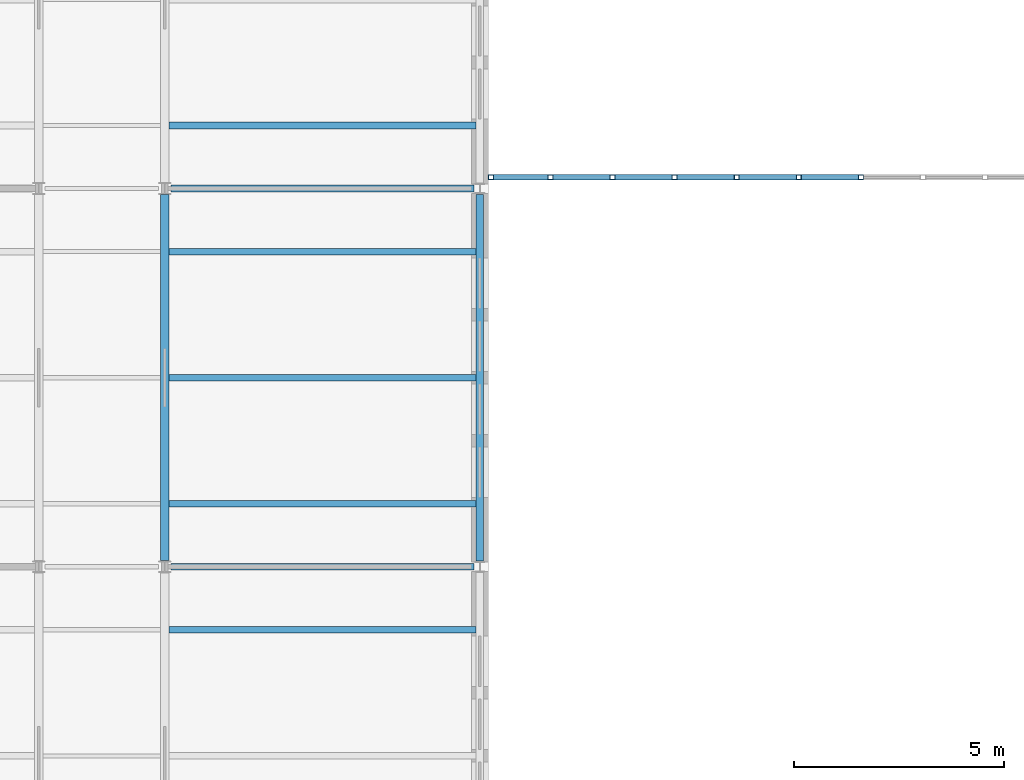
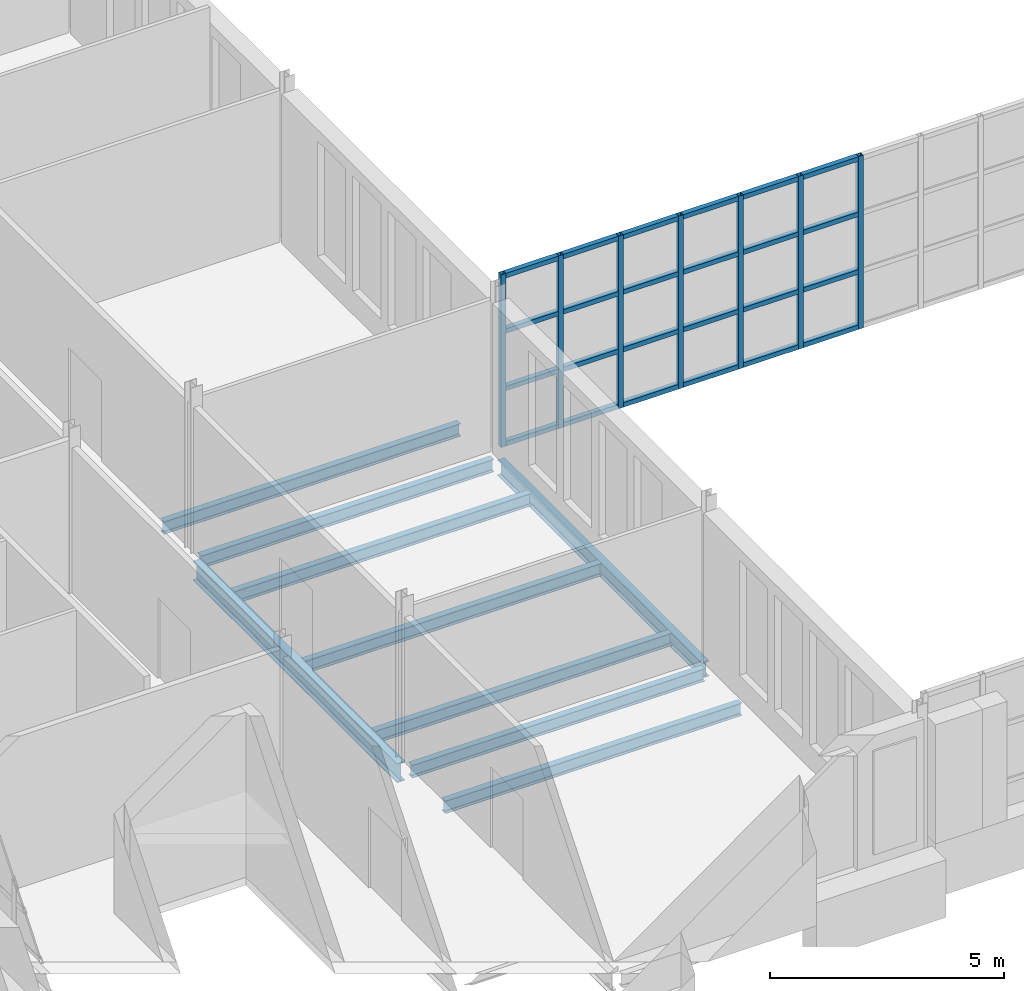
# One storey, part 30 of 131: 31 members, 9 beams, 1 element without a shape of its own.
"""IFC4 building model written with IfcOpenShell, lengths in metres."""

from ifc_helpers import new_model, si_unit, direction, frame, origin, origin_2d, place, context, subcontext, project, spatial, hollow_rectangle, i_section, extrude, material, material_profile, profile_set, type_object, element, aggregate, save


model = new_model("IFC4")

# Units and contexts
model_context = context("Model", 3, precision=1e-05, world=origin(), true_north=direction((0.0, 1.0)))
body_context = subcontext(model_context, "Body", "Model", "MODEL_VIEW")
ifc_project = project(units=[si_unit("LENGTHUNIT", "METRE"), si_unit("AREAUNIT", "SQUARE_METRE"), si_unit("VOLUMEUNIT", "CUBIC_METRE"), si_unit("PLANEANGLEUNIT", "RADIAN"), si_unit("MASSUNIT", "GRAM", prefix="KILO")], contexts=[model_context])

# Site, building, storey
site_placement = place(None, origin())
site = spatial("IfcSite", under=ifc_project, at=site_placement, CompositionType="ELEMENT")
building_placement = place(site_placement, origin())
building = spatial("IfcBuilding", under=site, at=building_placement, Name="Golden Quay Civic Hall", CompositionType="ELEMENT")
storey_placement = place(building_placement, frame((0.0, 0.0, 9.89990234375)))
storey = spatial("IfcBuildingStorey", under=building, at=storey_placement, Name="L02", CompositionType="ELEMENT", Elevation=9.89990234375)

# Curtain wall, members
ifc_material_1 = material(Name="Fire-resisting glass and steel", Category="steel")
curtain_wall_type = type_object("IfcCurtainWallType", Name="Fire-resisting glazed curtain wall EI 120", PredefinedType="NOTDEFINED", material=ifc_material_1)
curtain_wall_placement = place(storey_placement, origin())
curtain_wall = element("IfcCurtainWall", 1, at=curtain_wall_placement, inside=storey, type_object=curtain_wall_type, Name="CW3 curtain wall", PredefinedType="NOTDEFINED")
ifc_material_2 = material(Name="Steel S355", Category="steel")
ifc_material_profile_1 = material_profile(ifc_material_2, hollow_rectangle(XDim=0.1201171875, YDim=0.1201171875, WallThickness=0.008056640625, at=origin_2d()), Name="SHS 120x120x8")
ifc_profile_set_1 = profile_set([ifc_material_profile_1], Name="Steel S355")
member_type_1 = type_object("IfcMemberType", Name="Fire-resisting steel mullion SHS 120x120x8", PredefinedType="MULLION", material=ifc_profile_set_1)
member_1_placement = place(storey_placement, frame((72.260009765625, 18.27001953125, -0.199951171875), z_axis=(0.0, 0.0, 1.0), x_axis=(0.0, 1.0, 0.0)))
member_1 = element("IfcMember", 2, at=member_1_placement, type_object=member_type_1, Name="CW3 mullion 1", PredefinedType="MULLION", context=body_context, shape_type="SweptSolid", body=[
    extrude(hollow_rectangle(XDim=0.1201171875, YDim=0.1201171875, WallThickness=0.008056640625, at=origin_2d()), origin(), (0.0, 0.0, 1.0), 4.5),
])
member_2_placement = place(storey_placement, frame((73.677734375, 18.27001953125, -0.199951171875), z_axis=(0.0, 0.0, 1.0), x_axis=(0.0, 1.0, 0.0)))
member_2 = element("IfcMember", 3, at=member_2_placement, type_object=member_type_1, Name="CW3 mullion 2", PredefinedType="MULLION", context=body_context, shape_type="SweptSolid", body=[
    extrude(hollow_rectangle(XDim=0.1201171875, YDim=0.1201171875, WallThickness=0.008056640625, at=origin_2d()), origin(), (0.0, 0.0, 1.0), 4.5),
])
member_3_placement = place(storey_placement, frame((75.155517578125, 18.27001953125, -0.199951171875), z_axis=(0.0, 0.0, 1.0), x_axis=(0.0, 1.0, 0.0)))
member_3 = element("IfcMember", 4, at=member_3_placement, type_object=member_type_1, Name="CW3 mullion 3", PredefinedType="MULLION", context=body_context, shape_type="SweptSolid", body=[
    extrude(hollow_rectangle(XDim=0.1201171875, YDim=0.1201171875, WallThickness=0.008056640625, at=origin_2d()), origin(), (0.0, 0.0, 1.0), 4.5),
])
member_4_placement = place(storey_placement, frame((76.63330078125, 18.27001953125, -0.199951171875), z_axis=(0.0, 0.0, 1.0), x_axis=(0.0, 1.0, 0.0)))
member_4 = element("IfcMember", 5, at=member_4_placement, type_object=member_type_1, Name="CW3 mullion 4", PredefinedType="MULLION", context=body_context, shape_type="SweptSolid", body=[
    extrude(hollow_rectangle(XDim=0.1201171875, YDim=0.1201171875, WallThickness=0.008056640625, at=origin_2d()), origin(), (0.0, 0.0, 1.0), 4.5),
])
member_5_placement = place(storey_placement, frame((78.111083984375, 18.27001953125, -0.199951171875), z_axis=(0.0, 0.0, 1.0), x_axis=(0.0, 1.0, 0.0)))
member_5 = element("IfcMember", 6, at=member_5_placement, type_object=member_type_1, Name="CW3 mullion 5", PredefinedType="MULLION", context=body_context, shape_type="SweptSolid", body=[
    extrude(hollow_rectangle(XDim=0.1201171875, YDim=0.1201171875, WallThickness=0.008056640625, at=origin_2d()), origin(), (0.0, 0.0, 1.0), 4.5),
])
member_6_placement = place(storey_placement, frame((79.5888671875, 18.27001953125, -0.199951171875), z_axis=(0.0, 0.0, 1.0), x_axis=(0.0, 1.0, 0.0)))
member_6 = element("IfcMember", 7, at=member_6_placement, type_object=member_type_1, Name="CW3 mullion 6", PredefinedType="MULLION", context=body_context, shape_type="SweptSolid", body=[
    extrude(hollow_rectangle(XDim=0.1201171875, YDim=0.1201171875, WallThickness=0.008056640625, at=origin_2d()), origin(), (0.0, 0.0, 1.0), 4.5),
])
member_7_placement = place(storey_placement, frame((81.066650390625, 18.27001953125, -0.199951171875), z_axis=(0.0, 0.0, 1.0), x_axis=(0.0, 1.0, 0.0)))
member_7 = element("IfcMember", 8, at=member_7_placement, type_object=member_type_1, Name="CW3 mullion 7", PredefinedType="MULLION", context=body_context, shape_type="SweptSolid", body=[
    extrude(hollow_rectangle(XDim=0.1201171875, YDim=0.1201171875, WallThickness=0.008056640625, at=origin_2d()), origin(), (0.0, 0.0, 1.0), 4.5),
])
ifc_material_3 = material(Name="Steel S355", Category="steel")
ifc_material_profile_2 = material_profile(ifc_material_3, hollow_rectangle(XDim=0.1201171875, YDim=0.1201171875, WallThickness=0.008056640625, at=origin_2d()), Name="SHS 120x120x8")
ifc_profile_set_2 = profile_set([ifc_material_profile_2], Name="Steel S355")
member_type_2 = type_object("IfcMemberType", Name="Fire-resisting steel transom SHS 120x120x8", PredefinedType="USERDEFINED", material=ifc_profile_set_2)
member_8_placement = place(storey_placement, frame((72.320068359375, 18.27001953125, -0.139892578125), z_axis=(1.0, 0.0, 0.0), x_axis=(0.0, 1.0, 0.0)))
member_8 = element("IfcMember", 9, at=member_8_placement, type_object=member_type_2, Name="CW3 transom 1.1", ObjectType="TRANSOM", PredefinedType="USERDEFINED", context=body_context, shape_type="SweptSolid", body=[
    extrude(hollow_rectangle(XDim=0.1201171875, YDim=0.1201171875, WallThickness=0.008056640625, at=origin_2d()), origin(), (0.0, 0.0, 1.0), 1.297607421875),
])
member_9_placement = place(storey_placement, frame((72.320068359375, 18.27001953125, 1.300048828125), z_axis=(1.0, 0.0, 0.0), x_axis=(0.0, 1.0, 0.0)))
member_9 = element("IfcMember", 10, at=member_9_placement, type_object=member_type_2, Name="CW3 transom 1.2", ObjectType="TRANSOM", PredefinedType="USERDEFINED", context=body_context, shape_type="SweptSolid", body=[
    extrude(hollow_rectangle(XDim=0.1201171875, YDim=0.1201171875, WallThickness=0.008056640625, at=origin_2d()), origin(), (0.0, 0.0, 1.0), 1.297607421875),
])
member_10_placement = place(storey_placement, frame((72.320068359375, 18.27001953125, 2.800048828125), z_axis=(1.0, 0.0, 0.0), x_axis=(0.0, 1.0, 0.0)))
member_10 = element("IfcMember", 11, at=member_10_placement, type_object=member_type_2, Name="CW3 transom 1.3", ObjectType="TRANSOM", PredefinedType="USERDEFINED", context=body_context, shape_type="SweptSolid", body=[
    extrude(hollow_rectangle(XDim=0.1201171875, YDim=0.1201171875, WallThickness=0.008056640625, at=origin_2d()), origin(), (0.0, 0.0, 1.0), 1.297607421875),
])
member_11_placement = place(storey_placement, frame((72.320068359375, 18.27001953125, 4.239990234375), z_axis=(1.0, 0.0, 0.0), x_axis=(0.0, 1.0, 0.0)))
member_11 = element("IfcMember", 12, at=member_11_placement, type_object=member_type_2, Name="CW3 transom 1.4", ObjectType="TRANSOM", PredefinedType="USERDEFINED", context=body_context, shape_type="SweptSolid", body=[
    extrude(hollow_rectangle(XDim=0.1201171875, YDim=0.1201171875, WallThickness=0.008056640625, at=origin_2d()), origin(), (0.0, 0.0, 1.0), 1.297607421875),
])
member_12_placement = place(storey_placement, frame((73.73779296875, 18.27001953125, -0.139892578125), z_axis=(1.0, 0.0, 0.0), x_axis=(0.0, 1.0, 0.0)))
member_12 = element("IfcMember", 13, at=member_12_placement, type_object=member_type_2, Name="CW3 transom 2.1", ObjectType="TRANSOM", PredefinedType="USERDEFINED", context=body_context, shape_type="SweptSolid", body=[
    extrude(hollow_rectangle(XDim=0.1201171875, YDim=0.1201171875, WallThickness=0.008056640625, at=origin_2d()), origin(), (0.0, 0.0, 1.0), 1.357666015625),
])
member_13_placement = place(storey_placement, frame((73.73779296875, 18.27001953125, 1.300048828125), z_axis=(1.0, 0.0, 0.0), x_axis=(0.0, 1.0, 0.0)))
member_13 = element("IfcMember", 14, at=member_13_placement, type_object=member_type_2, Name="CW3 transom 2.2", ObjectType="TRANSOM", PredefinedType="USERDEFINED", context=body_context, shape_type="SweptSolid", body=[
    extrude(hollow_rectangle(XDim=0.1201171875, YDim=0.1201171875, WallThickness=0.008056640625, at=origin_2d()), origin(), (0.0, 0.0, 1.0), 1.357666015625),
])
member_14_placement = place(storey_placement, frame((73.73779296875, 18.27001953125, 2.800048828125), z_axis=(1.0, 0.0, 0.0), x_axis=(0.0, 1.0, 0.0)))
member_14 = element("IfcMember", 15, at=member_14_placement, type_object=member_type_2, Name="CW3 transom 2.3", ObjectType="TRANSOM", PredefinedType="USERDEFINED", context=body_context, shape_type="SweptSolid", body=[
    extrude(hollow_rectangle(XDim=0.1201171875, YDim=0.1201171875, WallThickness=0.008056640625, at=origin_2d()), origin(), (0.0, 0.0, 1.0), 1.357666015625),
])
member_15_placement = place(storey_placement, frame((73.73779296875, 18.27001953125, 4.239990234375), z_axis=(1.0, 0.0, 0.0), x_axis=(0.0, 1.0, 0.0)))
member_15 = element("IfcMember", 16, at=member_15_placement, type_object=member_type_2, Name="CW3 transom 2.4", ObjectType="TRANSOM", PredefinedType="USERDEFINED", context=body_context, shape_type="SweptSolid", body=[
    extrude(hollow_rectangle(XDim=0.1201171875, YDim=0.1201171875, WallThickness=0.008056640625, at=origin_2d()), origin(), (0.0, 0.0, 1.0), 1.357666015625),
])
member_16_placement = place(storey_placement, frame((75.215576171875, 18.27001953125, -0.139892578125), z_axis=(1.0, 0.0, 0.0), x_axis=(0.0, 1.0, 0.0)))
member_16 = element("IfcMember", 17, at=member_16_placement, type_object=member_type_2, Name="CW3 transom 3.1", ObjectType="TRANSOM", PredefinedType="USERDEFINED", context=body_context, shape_type="SweptSolid", body=[
    extrude(hollow_rectangle(XDim=0.1201171875, YDim=0.1201171875, WallThickness=0.008056640625, at=origin_2d()), origin(), (0.0, 0.0, 1.0), 1.357666015625),
])
member_17_placement = place(storey_placement, frame((75.215576171875, 18.27001953125, 1.300048828125), z_axis=(1.0, 0.0, 0.0), x_axis=(0.0, 1.0, 0.0)))
member_17 = element("IfcMember", 18, at=member_17_placement, type_object=member_type_2, Name="CW3 transom 3.2", ObjectType="TRANSOM", PredefinedType="USERDEFINED", context=body_context, shape_type="SweptSolid", body=[
    extrude(hollow_rectangle(XDim=0.1201171875, YDim=0.1201171875, WallThickness=0.008056640625, at=origin_2d()), origin(), (0.0, 0.0, 1.0), 1.357666015625),
])
member_18_placement = place(storey_placement, frame((75.215576171875, 18.27001953125, 2.800048828125), z_axis=(1.0, 0.0, 0.0), x_axis=(0.0, 1.0, 0.0)))
member_18 = element("IfcMember", 19, at=member_18_placement, type_object=member_type_2, Name="CW3 transom 3.3", ObjectType="TRANSOM", PredefinedType="USERDEFINED", context=body_context, shape_type="SweptSolid", body=[
    extrude(hollow_rectangle(XDim=0.1201171875, YDim=0.1201171875, WallThickness=0.008056640625, at=origin_2d()), origin(), (0.0, 0.0, 1.0), 1.357666015625),
])
member_19_placement = place(storey_placement, frame((75.215576171875, 18.27001953125, 4.239990234375), z_axis=(1.0, 0.0, 0.0), x_axis=(0.0, 1.0, 0.0)))
member_19 = element("IfcMember", 20, at=member_19_placement, type_object=member_type_2, Name="CW3 transom 3.4", ObjectType="TRANSOM", PredefinedType="USERDEFINED", context=body_context, shape_type="SweptSolid", body=[
    extrude(hollow_rectangle(XDim=0.1201171875, YDim=0.1201171875, WallThickness=0.008056640625, at=origin_2d()), origin(), (0.0, 0.0, 1.0), 1.357666015625),
])
member_20_placement = place(storey_placement, frame((76.693359375, 18.27001953125, -0.139892578125), z_axis=(1.0, 0.0, 0.0), x_axis=(0.0, 1.0, 0.0)))
member_20 = element("IfcMember", 21, at=member_20_placement, type_object=member_type_2, Name="CW3 transom 4.1", ObjectType="TRANSOM", PredefinedType="USERDEFINED", context=body_context, shape_type="SweptSolid", body=[
    extrude(hollow_rectangle(XDim=0.1201171875, YDim=0.1201171875, WallThickness=0.008056640625, at=origin_2d()), origin(), (0.0, 0.0, 1.0), 1.357666015625),
])
member_21_placement = place(storey_placement, frame((76.693359375, 18.27001953125, 1.300048828125), z_axis=(1.0, 0.0, 0.0), x_axis=(0.0, 1.0, 0.0)))
member_21 = element("IfcMember", 22, at=member_21_placement, type_object=member_type_2, Name="CW3 transom 4.2", ObjectType="TRANSOM", PredefinedType="USERDEFINED", context=body_context, shape_type="SweptSolid", body=[
    extrude(hollow_rectangle(XDim=0.1201171875, YDim=0.1201171875, WallThickness=0.008056640625, at=origin_2d()), origin(), (0.0, 0.0, 1.0), 1.357666015625),
])
member_22_placement = place(storey_placement, frame((76.693359375, 18.27001953125, 2.800048828125), z_axis=(1.0, 0.0, 0.0), x_axis=(0.0, 1.0, 0.0)))
member_22 = element("IfcMember", 23, at=member_22_placement, type_object=member_type_2, Name="CW3 transom 4.3", ObjectType="TRANSOM", PredefinedType="USERDEFINED", context=body_context, shape_type="SweptSolid", body=[
    extrude(hollow_rectangle(XDim=0.1201171875, YDim=0.1201171875, WallThickness=0.008056640625, at=origin_2d()), origin(), (0.0, 0.0, 1.0), 1.357666015625),
])
member_23_placement = place(storey_placement, frame((76.693359375, 18.27001953125, 4.239990234375), z_axis=(1.0, 0.0, 0.0), x_axis=(0.0, 1.0, 0.0)))
member_23 = element("IfcMember", 24, at=member_23_placement, type_object=member_type_2, Name="CW3 transom 4.4", ObjectType="TRANSOM", PredefinedType="USERDEFINED", context=body_context, shape_type="SweptSolid", body=[
    extrude(hollow_rectangle(XDim=0.1201171875, YDim=0.1201171875, WallThickness=0.008056640625, at=origin_2d()), origin(), (0.0, 0.0, 1.0), 1.357666015625),
])
member_24_placement = place(storey_placement, frame((78.171142578125, 18.27001953125, -0.139892578125), z_axis=(1.0, 0.0, 0.0), x_axis=(0.0, 1.0, 0.0)))
member_24 = element("IfcMember", 25, at=member_24_placement, type_object=member_type_2, Name="CW3 transom 5.1", ObjectType="TRANSOM", PredefinedType="USERDEFINED", context=body_context, shape_type="SweptSolid", body=[
    extrude(hollow_rectangle(XDim=0.1201171875, YDim=0.1201171875, WallThickness=0.008056640625, at=origin_2d()), origin(), (0.0, 0.0, 1.0), 1.357666015625),
])
member_25_placement = place(storey_placement, frame((78.171142578125, 18.27001953125, 1.300048828125), z_axis=(1.0, 0.0, 0.0), x_axis=(0.0, 1.0, 0.0)))
member_25 = element("IfcMember", 26, at=member_25_placement, type_object=member_type_2, Name="CW3 transom 5.2", ObjectType="TRANSOM", PredefinedType="USERDEFINED", context=body_context, shape_type="SweptSolid", body=[
    extrude(hollow_rectangle(XDim=0.1201171875, YDim=0.1201171875, WallThickness=0.008056640625, at=origin_2d()), origin(), (0.0, 0.0, 1.0), 1.357666015625),
])
member_26_placement = place(storey_placement, frame((78.171142578125, 18.27001953125, 2.800048828125), z_axis=(1.0, 0.0, 0.0), x_axis=(0.0, 1.0, 0.0)))
member_26 = element("IfcMember", 27, at=member_26_placement, type_object=member_type_2, Name="CW3 transom 5.3", ObjectType="TRANSOM", PredefinedType="USERDEFINED", context=body_context, shape_type="SweptSolid", body=[
    extrude(hollow_rectangle(XDim=0.1201171875, YDim=0.1201171875, WallThickness=0.008056640625, at=origin_2d()), origin(), (0.0, 0.0, 1.0), 1.357666015625),
])
member_27_placement = place(storey_placement, frame((78.171142578125, 18.27001953125, 4.239990234375), z_axis=(1.0, 0.0, 0.0), x_axis=(0.0, 1.0, 0.0)))
member_27 = element("IfcMember", 28, at=member_27_placement, type_object=member_type_2, Name="CW3 transom 5.4", ObjectType="TRANSOM", PredefinedType="USERDEFINED", context=body_context, shape_type="SweptSolid", body=[
    extrude(hollow_rectangle(XDim=0.1201171875, YDim=0.1201171875, WallThickness=0.008056640625, at=origin_2d()), origin(), (0.0, 0.0, 1.0), 1.357666015625),
])
member_28_placement = place(storey_placement, frame((79.64892578125, 18.27001953125, -0.139892578125), z_axis=(1.0, 0.0, 0.0), x_axis=(0.0, 1.0, 0.0)))
member_28 = element("IfcMember", 29, at=member_28_placement, type_object=member_type_2, Name="CW3 transom 6.1", ObjectType="TRANSOM", PredefinedType="USERDEFINED", context=body_context, shape_type="SweptSolid", body=[
    extrude(hollow_rectangle(XDim=0.1201171875, YDim=0.1201171875, WallThickness=0.008056640625, at=origin_2d()), origin(), (0.0, 0.0, 1.0), 1.357666015625),
])
member_29_placement = place(storey_placement, frame((79.64892578125, 18.27001953125, 1.300048828125), z_axis=(1.0, 0.0, 0.0), x_axis=(0.0, 1.0, 0.0)))
member_29 = element("IfcMember", 30, at=member_29_placement, type_object=member_type_2, Name="CW3 transom 6.2", ObjectType="TRANSOM", PredefinedType="USERDEFINED", context=body_context, shape_type="SweptSolid", body=[
    extrude(hollow_rectangle(XDim=0.1201171875, YDim=0.1201171875, WallThickness=0.008056640625, at=origin_2d()), origin(), (0.0, 0.0, 1.0), 1.357666015625),
])
member_30_placement = place(storey_placement, frame((79.64892578125, 18.27001953125, 2.800048828125), z_axis=(1.0, 0.0, 0.0), x_axis=(0.0, 1.0, 0.0)))
member_30 = element("IfcMember", 31, at=member_30_placement, type_object=member_type_2, Name="CW3 transom 6.3", ObjectType="TRANSOM", PredefinedType="USERDEFINED", context=body_context, shape_type="SweptSolid", body=[
    extrude(hollow_rectangle(XDim=0.1201171875, YDim=0.1201171875, WallThickness=0.008056640625, at=origin_2d()), origin(), (0.0, 0.0, 1.0), 1.357666015625),
])
member_31_placement = place(storey_placement, frame((79.64892578125, 18.27001953125, 4.239990234375), z_axis=(1.0, 0.0, 0.0), x_axis=(0.0, 1.0, 0.0)))
member_31 = element("IfcMember", 32, at=member_31_placement, type_object=member_type_2, Name="CW3 transom 6.4", ObjectType="TRANSOM", PredefinedType="USERDEFINED", context=body_context, shape_type="SweptSolid", body=[
    extrude(hollow_rectangle(XDim=0.1201171875, YDim=0.1201171875, WallThickness=0.008056640625, at=origin_2d()), origin(), (0.0, 0.0, 1.0), 1.357666015625),
])
aggregate(curtain_wall, [member_1, member_2, member_3, member_4, member_5, member_6, member_7, member_8, member_9, member_10, member_11, member_12, member_13, member_14, member_15, member_16, member_17, member_18, member_19, member_20, member_21, member_22, member_23, member_24, member_25, member_26, member_27, member_28, member_29, member_30, member_31])

# Beams
ifc_material_4 = material(Name="Steel S355", Category="steel")
ifc_material_profile_3 = material_profile(ifc_material_4, i_section(OverallWidth=0.159912109375, OverallDepth=0.330078125, WebThickness=0.007568359375, FlangeThickness=0.011474609375, FilletRadius=0.01806640625, at=origin_2d()), Name="IPE 330")
ifc_profile_set_3 = profile_set([ifc_material_profile_3], Name="Steel S355")
beam_type_1 = type_object("IfcBeamType", Name="Steel beam IPE 330", PredefinedType="BEAM", material=ifc_profile_set_3)
for number, where, z_axis, x_axis, name in (
    (33, (64.64990234375, 9.0, -0.364990234375), (1.0, 0.0, 0.0), (0.0, 1.0, 0.0), "Beam S9-64.5"),
    (34, (64.64990234375, 18.0, -0.364990234375), (1.0, 0.0, 0.0), (0.0, 1.0, 0.0), "Beam S18-64.5"),
):
    element("IfcBeam", number, at=place(storey_placement, frame(where, z_axis=z_axis, x_axis=x_axis)), inside=storey, type_object=beam_type_1, Name=name, PredefinedType="BEAM", context=body_context, shape_type="SweptSolid", body=[
        extrude(i_section(OverallWidth=0.159912109375, OverallDepth=0.330078125, WebThickness=0.007568359375, FlangeThickness=0.011474609375, FilletRadius=0.01806640625, at=origin_2d()), origin(), (0.0, 0.0, 1.0), 7.210205078125),
    ])
ifc_material_5 = material(Name="Steel S355", Category="steel")
ifc_material_profile_4 = material_profile(ifc_material_5, i_section(OverallWidth=0.179931640625, OverallDepth=0.39990234375, WebThickness=0.008544921875, FlangeThickness=0.013427734375, FilletRadius=0.02099609375, at=origin_2d()), Name="IPE 400")
ifc_profile_set_4 = profile_set([ifc_material_profile_4], Name="Steel S355")
beam_type_2 = type_object("IfcBeamType", Name="Steel beam IPE 400", PredefinedType="BEAM", material=ifc_profile_set_4)
beam_1_placement = place(storey_placement, frame((72.0, 9.135009765625, -0.39990234375), z_axis=(0.0, 1.0, 0.0), x_axis=(-1.0, 0.0, 0.0)))
element("IfcBeam", 35, at=beam_1_placement, inside=storey, type_object=beam_type_2, Name="Beam L72-9", PredefinedType="BEAM", context=body_context, shape_type="SweptSolid", body=[
    extrude(i_section(OverallWidth=0.179931640625, OverallDepth=0.39990234375, WebThickness=0.008544921875, FlangeThickness=0.013427734375, FilletRadius=0.02099609375, at=origin_2d()), origin(), (0.0, 0.0, 1.0), 8.72998046875),
])
ifc_material_6 = material(Name="Steel S355", Category="steel")
ifc_material_profile_5 = material_profile(ifc_material_6, i_section(OverallWidth=0.199951171875, OverallDepth=0.5, WebThickness=0.01025390625, FlangeThickness=0.01611328125, FilletRadius=0.02099609375, at=origin_2d()), Name="IPE 500")
ifc_profile_set_5 = profile_set([ifc_material_profile_5], Name="Steel S355")
beam_type_3 = type_object("IfcBeamType", Name="Steel beam IPE 500", PredefinedType="BEAM", material=ifc_profile_set_5)
beam_2_placement = place(storey_placement, frame((64.5, 9.14501953125, -0.449951171875), z_axis=(0.0, 1.0, 0.0), x_axis=(-1.0, 0.0, 0.0)))
element("IfcBeam", 36, at=beam_2_placement, inside=storey, type_object=beam_type_3, Name="Beam L64.5-9", PredefinedType="BEAM", context=body_context, shape_type="SweptSolid", body=[
    extrude(i_section(OverallWidth=0.199951171875, OverallDepth=0.5, WebThickness=0.01025390625, FlangeThickness=0.01611328125, FilletRadius=0.02099609375, at=origin_2d()), origin(), (0.0, 0.0, 1.0), 8.7099609375),
])
ifc_material_7 = material(Name="Steel S355", Category="steel")
ifc_material_profile_6 = material_profile(ifc_material_7, i_section(OverallWidth=0.159912109375, OverallDepth=0.330078125, WebThickness=0.007568359375, FlangeThickness=0.011474609375, FilletRadius=0.01806640625, at=origin_2d()), Name="IPE 330")
ifc_profile_set_6 = profile_set([ifc_material_profile_6], Name="Steel S355")
beam_type_4 = type_object("IfcBeamType", Name="Steel joist IPE 330", PredefinedType="JOIST", material=ifc_profile_set_6)
for number, where, z_axis, x_axis, name in (
    (37, (64.60009765625, 7.5, -0.364990234375), (1.0, 0.0, 0.0), (0.0, 1.0, 0.0), "Joist J7.5-64.5"),
    (38, (64.60009765625, 10.5, -0.364990234375), (1.0, 0.0, 0.0), (0.0, 1.0, 0.0), "Joist J10.5-64.5"),
    (39, (64.60009765625, 13.5, -0.364990234375), (1.0, 0.0, 0.0), (0.0, 1.0, 0.0), "Joist J13.5-64.5"),
    (40, (64.60009765625, 16.5, -0.364990234375), (1.0, 0.0, 0.0), (0.0, 1.0, 0.0), "Joist J16.5-64.5"),
    (41, (64.60009765625, 19.5, -0.364990234375), (1.0, 0.0, 0.0), (0.0, 1.0, 0.0), "Joist J19.5-64.5"),
):
    element("IfcBeam", number, at=place(storey_placement, frame(where, z_axis=z_axis, x_axis=x_axis)), inside=storey, type_object=beam_type_4, Name=name, PredefinedType="JOIST", context=body_context, shape_type="SweptSolid", body=[
        extrude(i_section(OverallWidth=0.159912109375, OverallDepth=0.330078125, WebThickness=0.007568359375, FlangeThickness=0.011474609375, FilletRadius=0.01806640625, at=origin_2d()), origin(), (0.0, 0.0, 1.0), 7.309814453125),
    ])

save(model, "model.ifc")
